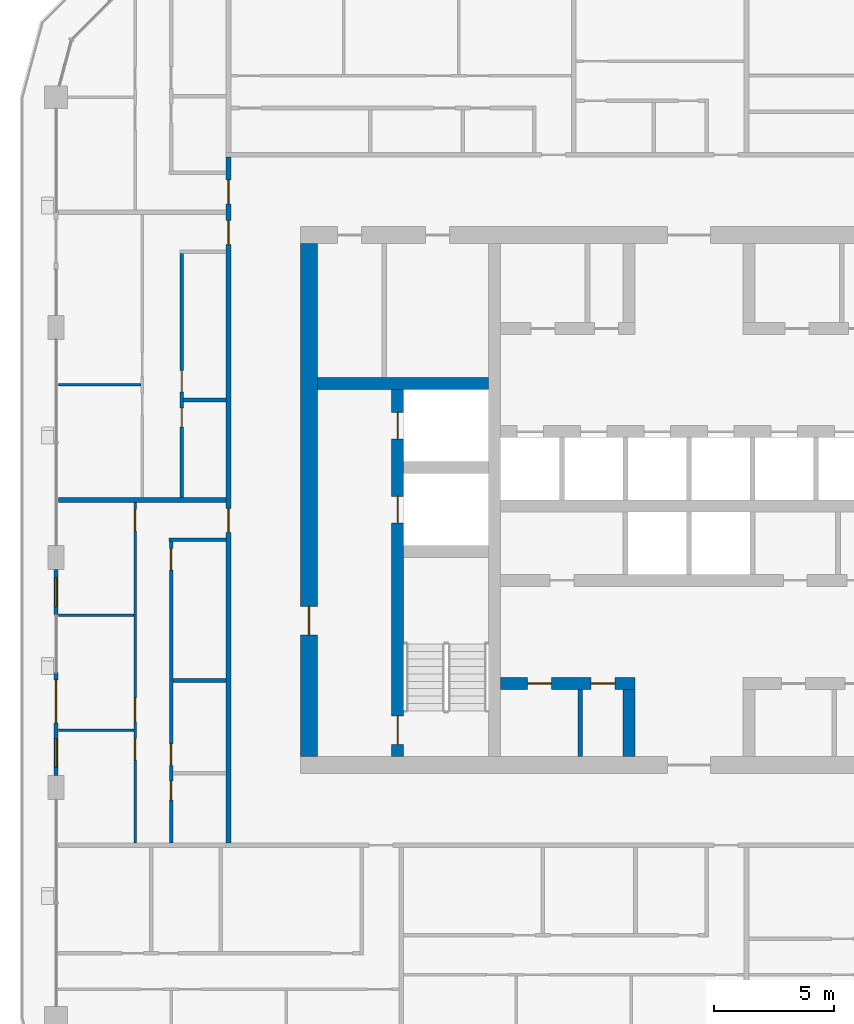
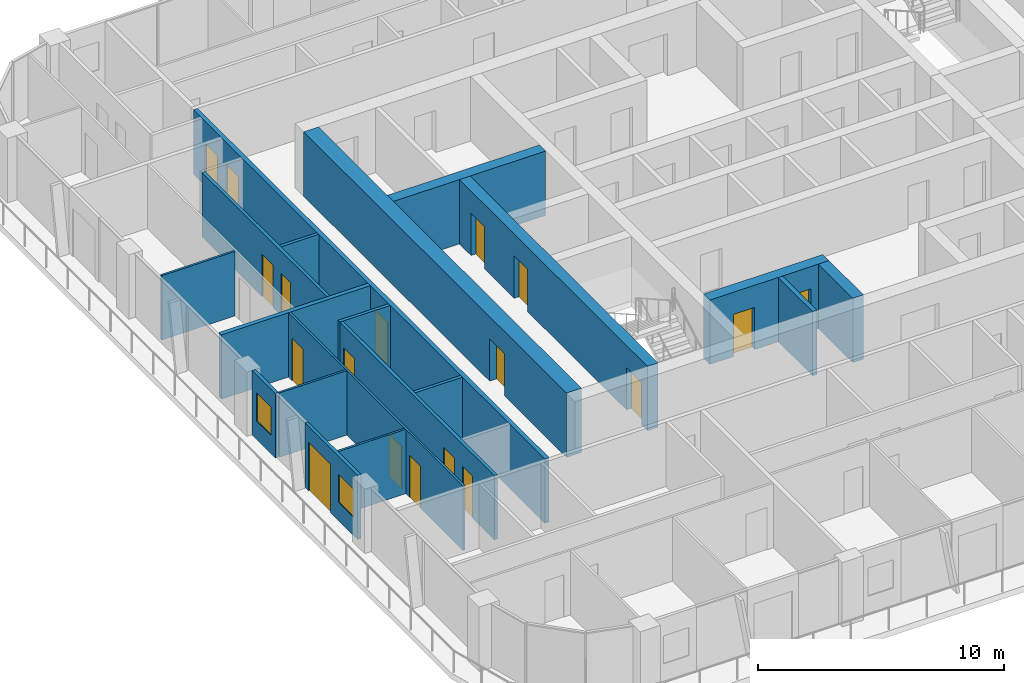
# One storey, part 10 of 22: 19 walls, 18 doors, 2 windows, 20 openings.
"""IFC4 building model written with IfcOpenShell, lengths in metres."""

from ifc_helpers import new_model, si_unit, direction, frame, frame_2d, origin, place, context, subcontext, project, spatial, rectangle, extrude, material, layer, layer_set, type_object, element, fill, save


model = new_model("IFC4")

# Units and contexts
model_context = context("Model", 3, precision=1e-05, world=origin(), true_north=direction((0.0, 1.0)))
body_context = subcontext(model_context, "Body", "Model", "MODEL_VIEW")
ifc_project = project(units=[si_unit("LENGTHUNIT", "METRE"), si_unit("AREAUNIT", "SQUARE_METRE"), si_unit("VOLUMEUNIT", "CUBIC_METRE"), si_unit("PLANEANGLEUNIT", "RADIAN"), si_unit("MASSUNIT", "GRAM", prefix="KILO")], contexts=[model_context])

# Site, building, storey
site_placement = place(None, origin())
site = spatial("IfcSite", under=ifc_project, at=site_placement, CompositionType="ELEMENT")
building_placement = place(site_placement, origin())
building = spatial("IfcBuilding", under=site, at=building_placement, Name="Madar Terraces", CompositionType="ELEMENT")
storey_placement = place(building_placement, frame((0.0, 0.0, 182.39990234375)))
storey = spatial("IfcBuildingStorey", under=building, at=storey_placement, Name="L47", CompositionType="ELEMENT", Elevation=182.39990234375)

# Wall, openings, doors
ifc_material_1 = material(Name="Concrete C60/75", Category="concrete")
ifc_layer_1 = layer(ifc_material_1, 0.5)
ifc_layer_set_1 = layer_set([ifc_layer_1], Name="Concrete C60/75 (CIW4 RC wall 500)")
wall_type_1 = type_object("IfcWallType", Name="CIW4 RC wall 500", PredefinedType="SHEAR", material=ifc_layer_set_1)
wall_1_placement = place(storey_placement, frame((19.050048828125, 15.699951171875, 0.0), z_axis=(0.0, 0.0, 1.0), x_axis=(0.0, 1.0, 0.0)))
wall_1 = element("IfcWall", 1, at=wall_1_placement, inside=storey, type_object=wall_type_1, Name="CORE SHAFT WALL", PredefinedType="SHEAR", context=body_context, shape_type="SweptSolid", body=[
    extrude(rectangle(XDim=15.300048828125, YDim=0.5, at=frame_2d((7.64990234375, 0.0))), origin(), (0.0, 0.0, 1.0), 3.2001953125),
])
opening_1_placement = place(wall_1_placement, frame((9.75, 0.0, 0.0)))
opening_1 = element("IfcOpeningElement", 2, at=opening_1_placement, cuts=wall_1, Name="Opening LD", PredefinedType="OPENING", context=body_context, shape_type="SweptSolid", body=[
    extrude(rectangle(XDim=1.10009765625, YDim=2.10009765625, at=frame_2d((0.550048828125, 1.050048828125))), frame((0.0, 0.260009765625, 0.0), z_axis=(0.0, -1.0, 0.0), x_axis=(1.0, 0.0, 0.0)), (0.0, 0.0, 1.0), 0.52001953125),
])
opening_2_placement = place(wall_1_placement, frame((13.25, 0.0, 0.0)))
opening_2 = element("IfcOpeningElement", 3, at=opening_2_placement, cuts=wall_1, Name="Opening LD", PredefinedType="OPENING", context=body_context, shape_type="SweptSolid", body=[
    extrude(rectangle(XDim=1.10009765625, YDim=2.10009765625, at=frame_2d((0.550048828125, 1.050048828125))), frame((0.0, 0.260009765625, 0.0), z_axis=(0.0, -1.0, 0.0), x_axis=(1.0, 0.0, 0.0)), (0.0, 0.0, 1.0), 0.52001953125),
])
opening_3_placement = place(wall_1_placement, frame((0.5, 0.0, 0.0)))
opening_3 = element("IfcOpeningElement", 4, at=opening_3_placement, cuts=wall_1, Name="Opening SD1", PredefinedType="OPENING", context=body_context, shape_type="SweptSolid", body=[
    extrude(rectangle(XDim=1.199951171875, YDim=2.10009765625, at=frame_2d((0.60009765625, 1.050048828125))), frame((0.0, 0.260009765625, 0.0), z_axis=(0.0, -1.0, 0.0), x_axis=(1.0, 0.0, 0.0)), (0.0, 0.0, 1.0), 0.52001953125),
])
ifc_material_2 = material(Name="Stainless steel panel", Category="steel")
door_type_1 = type_object("IfcDoorType", Name="Lift landing door 1100 x 2100", OperationType="DOUBLE_DOOR_SLIDING", PredefinedType="DOOR", material=ifc_material_2)
door_1_placement = place(opening_1_placement, origin())
door_1 = element("IfcDoor", 5, at=door_1_placement, inside=storey, type_object=door_type_1, Name="LIFT LANDING DOOR", OperationType="DOUBLE_DOOR_SLIDING", OverallHeight=2.10009765625, OverallWidth=1.10009765625, PredefinedType="DOOR", context=body_context, shape_type="SweptSolid", body=[
    extrude(rectangle(XDim=1.10009765625, YDim=2.10009765625, at=frame_2d((0.550048828125, 1.050048828125))), frame((0.0, 0.02490234375, 0.0), z_axis=(0.0, -1.0, 0.0), x_axis=(1.0, 0.0, 0.0)), (0.0, 0.0, 1.0), 0.050048828125),
])
fill(opening_1, door_1)
door_2_placement = place(opening_2_placement, origin())
door_2 = element("IfcDoor", 6, at=door_2_placement, inside=storey, type_object=door_type_1, Name="LIFT LANDING DOOR", OperationType="DOUBLE_DOOR_SLIDING", OverallHeight=2.10009765625, OverallWidth=1.10009765625, PredefinedType="DOOR", context=body_context, shape_type="SweptSolid", body=[
    extrude(rectangle(XDim=1.10009765625, YDim=2.10009765625, at=frame_2d((0.550048828125, 1.050048828125))), frame((0.0, 0.02490234375, 0.0), z_axis=(0.0, -1.0, 0.0), x_axis=(1.0, 0.0, 0.0)), (0.0, 0.0, 1.0), 0.050048828125),
])
fill(opening_2, door_2)
ifc_material_3 = material(Name="Steel door leaf", Category="steel")
door_type_2 = type_object("IfcDoorType", Name="Stair door 1200 x 2100", OperationType="NOTDEFINED", PredefinedType="DOOR", material=ifc_material_3)
door_3_placement = place(opening_3_placement, frame((1.199951171875, 0.0, 0.0), z_axis=(0.0, 0.0, 1.0), x_axis=(-1.0, 0.0, 0.0)))
door_3 = element("IfcDoor", 7, at=door_3_placement, inside=storey, type_object=door_type_2, Name="STAIR DOOR", OperationType="SINGLE_SWING_LEFT", OverallHeight=2.10009765625, OverallWidth=1.199951171875, PredefinedType="DOOR", context=body_context, shape_type="SweptSolid", body=[
    extrude(rectangle(XDim=1.199951171875, YDim=2.10009765625, at=frame_2d((0.60009765625, 1.050048828125))), frame((0.0, 0.02490234375, 0.0), z_axis=(0.0, -1.0, 0.0), x_axis=(1.0, 0.0, 0.0)), (0.0, 0.0, 1.0), 0.050048828125),
])
fill(opening_3, door_3)

# Wall
wall_2_placement = place(storey_placement, frame((15.699951171875, 31.25, 0.0), z_axis=(0.0, 0.0, 1.0), x_axis=(1.0, 0.0, 0.0)))
element("IfcWall", 8, at=wall_2_placement, inside=storey, type_object=wall_type_1, Name="CORE SHAFT WALL", PredefinedType="SHEAR", context=body_context, shape_type="SweptSolid", body=[
    extrude(rectangle(XDim=7.150146484375, YDim=0.5, at=frame_2d((3.5751953125, 0.0))), origin(), (0.0, 0.0, 1.0), 3.2001953125),
])

# Wall, openings, doors
wall_3_placement = place(storey_placement, frame((23.35009765625, 18.75, 0.0), z_axis=(0.0, 0.0, 1.0), x_axis=(1.0, 0.0, 0.0)))
wall_3 = element("IfcWall", 9, at=wall_3_placement, inside=storey, type_object=wall_type_1, Name="CORE SHAFT WALL", PredefinedType="SHEAR", context=body_context, shape_type="SweptSolid", body=[
    extrude(rectangle(XDim=5.599853515625, YDim=0.5, at=frame_2d((2.7998046875, 0.0))), origin(), (0.0, 0.0, 1.0), 3.2001953125),
])
opening_4_placement = place(wall_3_placement, frame((1.107421875, 0.0, 0.0)))
opening_4 = element("IfcOpeningElement", 10, at=opening_4_placement, cuts=wall_3, Name="Opening KD2", PredefinedType="OPENING", context=body_context, shape_type="SweptSolid", body=[
    extrude(rectangle(XDim=1.0, YDim=2.10009765625, at=frame_2d((0.5, 1.050048828125))), frame((0.0, 0.260009765625, 0.0), z_axis=(0.0, -1.0, 0.0), x_axis=(1.0, 0.0, 0.0)), (0.0, 0.0, 1.0), 0.52001953125),
])
opening_5_placement = place(wall_3_placement, frame((3.757568359375, 0.0, 0.0)))
opening_5 = element("IfcOpeningElement", 11, at=opening_5_placement, cuts=wall_3, Name="Opening KD2", PredefinedType="OPENING", context=body_context, shape_type="SweptSolid", body=[
    extrude(rectangle(XDim=1.0, YDim=2.10009765625, at=frame_2d((0.5, 1.050048828125))), frame((0.0, 0.260009765625, 0.0), z_axis=(0.0, -1.0, 0.0), x_axis=(1.0, 0.0, 0.0)), (0.0, 0.0, 1.0), 0.52001953125),
])
ifc_material_4 = material(Name="Steel door leaf", Category="steel")
door_type_3 = type_object("IfcDoorType", Name="Service room door 1000 x 2100", OperationType="NOTDEFINED", PredefinedType="DOOR", material=ifc_material_4)
door_4_placement = place(opening_4_placement, origin())
door_4 = element("IfcDoor", 12, at=door_4_placement, inside=storey, type_object=door_type_3, Name="SERVICE ROOM DOOR", OperationType="SINGLE_SWING_LEFT", OverallHeight=2.10009765625, OverallWidth=1.0, PredefinedType="DOOR", context=body_context, shape_type="SweptSolid", body=[
    extrude(rectangle(XDim=1.0, YDim=2.10009765625, at=frame_2d((0.5, 1.050048828125))), frame((0.0, 0.02490234375, 0.0), z_axis=(0.0, -1.0, 0.0), x_axis=(1.0, 0.0, 0.0)), (0.0, 0.0, 1.0), 0.050048828125),
])
fill(opening_4, door_4)
door_5_placement = place(opening_5_placement, origin())
door_5 = element("IfcDoor", 13, at=door_5_placement, inside=storey, type_object=door_type_3, Name="SERVICE ROOM DOOR", OperationType="SINGLE_SWING_RIGHT", OverallHeight=2.10009765625, OverallWidth=1.0, PredefinedType="DOOR", context=body_context, shape_type="SweptSolid", body=[
    extrude(rectangle(XDim=1.0, YDim=2.10009765625, at=frame_2d((0.5, 1.050048828125))), frame((0.0, 0.02490234375, 0.0), z_axis=(0.0, -1.0, 0.0), x_axis=(1.0, 0.0, 0.0)), (0.0, 0.0, 1.0), 0.050048828125),
])
fill(opening_5, door_5)

# Wall
wall_4_placement = place(storey_placement, frame((28.699951171875, 15.699951171875, 0.0), z_axis=(0.0, 0.0, 1.0), x_axis=(0.0, 1.0, 0.0)))
element("IfcWall", 14, at=wall_4_placement, inside=storey, type_object=wall_type_1, Name="CORE SHAFT WALL", PredefinedType="SHEAR", context=body_context, shape_type="SweptSolid", body=[
    extrude(rectangle(XDim=2.800048828125, YDim=0.5, at=frame_2d((1.39990234375, 0.0))), origin(), (0.0, 0.0, 1.0), 3.2001953125),
])

# Wall, opening, door
ifc_material_5 = material(Name="Concrete C60/75", Category="concrete")
ifc_layer_2 = layer(ifc_material_5, 0.699951171875)
ifc_layer_set_2 = layer_set([ifc_layer_2], Name="Concrete C60/75 (CRW4 RC wall 700)")
wall_type_2 = type_object("IfcWallType", Name="CRW4 RC wall 700", PredefinedType="SHEAR", material=ifc_layer_set_2)
wall_5_placement = place(storey_placement, frame((15.35009765625, 15.699951171875, 0.0), z_axis=(0.0, 0.0, 1.0), x_axis=(0.0, 1.0, 0.0)))
wall_5 = element("IfcWall", 15, at=wall_5_placement, inside=storey, type_object=wall_type_2, Name="CORE OUTER WALL", PredefinedType="SHEAR", context=body_context, shape_type="SweptSolid", body=[
    extrude(rectangle(XDim=21.400146484375, YDim=0.699951171875, at=frame_2d((10.7001953125, 0.0))), origin(), (0.0, 0.0, 1.0), 3.2001953125),
])
opening_6_placement = place(wall_5_placement, frame((5.06005859375, 0.0, 0.0)))
opening_6 = element("IfcOpeningElement", 16, at=opening_6_placement, cuts=wall_5, Name="Opening SD1", PredefinedType="OPENING", context=body_context, shape_type="SweptSolid", body=[
    extrude(rectangle(XDim=1.199951171875, YDim=2.10009765625, at=frame_2d((0.60009765625, 1.050048828125))), frame((0.0, 0.35986328125, 0.0), z_axis=(0.0, -1.0, 0.0), x_axis=(1.0, 0.0, 0.0)), (0.0, 0.0, 1.0), 0.719970703125),
])
door_6_placement = place(opening_6_placement, frame((1.199951171875, 0.0, 0.0), z_axis=(0.0, 0.0, 1.0), x_axis=(-1.0, 0.0, 0.0)))
door_6 = element("IfcDoor", 17, at=door_6_placement, inside=storey, type_object=door_type_2, Name="STAIR DOOR", OperationType="SINGLE_SWING_RIGHT", OverallHeight=2.10009765625, OverallWidth=1.199951171875, PredefinedType="DOOR", context=body_context, shape_type="SweptSolid", body=[
    extrude(rectangle(XDim=1.199951171875, YDim=2.10009765625, at=frame_2d((0.60009765625, 1.050048828125))), frame((0.0, 0.02490234375, 0.0), z_axis=(0.0, -1.0, 0.0), x_axis=(1.0, 0.0, 0.0)), (0.0, 0.0, 1.0), 0.050048828125),
])
fill(opening_6, door_6)

# Wall
ifc_material_6 = material(Name="Masonry blockwork", Category="masonry")
ifc_layer_3 = layer(ifc_material_6, 0.199951171875)
ifc_layer_set_3 = layer_set([ifc_layer_3], Name="Core partition 200 blockwork")
wall_type_3 = type_object("IfcWallType", Name="Core partition 200 blockwork", PredefinedType="PARTITIONING", material=ifc_layer_set_3)
wall_6_placement = place(storey_placement, frame((26.6650390625, 15.699951171875, 0.0), z_axis=(0.0, 0.0, 1.0), x_axis=(0.0, 1.0, 0.0)))
element("IfcWall", 18, at=wall_6_placement, inside=storey, type_object=wall_type_3, Name="SERVICE ROOM PARTITION", PredefinedType="PARTITIONING", context=body_context, shape_type="SweptSolid", body=[
    extrude(rectangle(XDim=2.800048828125, YDim=0.199951171875, at=frame_2d((1.39990234375, 0.0))), origin(), (0.0, 0.0, 1.0), 3.2001953125),
])

# Wall, opening, window
ifc_material_7 = material(Name="Aluminium composite panel, black, over insulated backing", Category="aluminium")
ifc_layer_4 = layer(ifc_material_7, 0.14990234375)
ifc_layer_set_4 = layer_set([ifc_layer_4], Name="Facade bay panel 150")
wall_type_4 = type_object("IfcWallType", Name="Facade bay panel 150", PredefinedType="SOLIDWALL", material=ifc_layer_set_4)
wall_7_placement = place(storey_placement, frame((4.800048828125, 23.5, 0.0), z_axis=(0.0, 0.0, 1.0), x_axis=(0.0, -1.0, 0.0)))
wall_7 = element("IfcWall", 19, at=wall_7_placement, inside=storey, type_object=wall_type_4, Name="Facade bay panel", PredefinedType="SOLIDWALL", context=body_context, shape_type="SweptSolid", body=[
    extrude(rectangle(XDim=1.89990234375, YDim=0.14990234375, at=frame_2d((0.949951171875, 0.0))), origin(), (0.0, 0.0, 1.0), 3.2001953125),
])
opening_7_placement = place(wall_7_placement, frame((0.35009765625, 0.0, 0.89990234375)))
opening_7 = element("IfcOpeningElement", 20, at=opening_7_placement, cuts=wall_7, Name="Opening W1", PredefinedType="OPENING", context=body_context, shape_type="SweptSolid", body=[
    extrude(rectangle(XDim=1.199951171875, YDim=1.39990234375, at=frame_2d((0.60009765625, 0.699951171875))), frame((0.0, 0.0849609375, 0.0), z_axis=(0.0, -1.0, 0.0), x_axis=(1.0, 0.0, 0.0)), (0.0, 0.0, 1.0), 0.169921875),
])
ifc_material_8 = material(Name="Glass, clear, with black aluminium frame", Category="aluminium")
window_type = type_object("IfcWindowType", Name="Vent window 1200 x 1400", PartitioningType="SINGLE_PANEL", PredefinedType="WINDOW", material=ifc_material_8)
window_1_placement = place(opening_7_placement, origin())
window_1 = element("IfcWindow", 21, at=window_1_placement, inside=storey, type_object=window_type, Name="Operable vent window", OverallHeight=1.39990234375, OverallWidth=1.199951171875, PartitioningType="SINGLE_PANEL", PredefinedType="WINDOW", context=body_context, shape_type="SweptSolid", body=[
    extrude(rectangle(XDim=1.199951171875, YDim=1.39990234375, at=frame_2d((0.60009765625, 0.699951171875))), frame((0.0, 0.030029296875, 0.0), z_axis=(0.0, -1.0, 0.0), x_axis=(1.0, 0.0, 0.0)), (0.0, 0.0, 1.0), 0.06005859375),
])
fill(opening_7, window_1)

# Wall, openings, door, window
wall_8_placement = place(storey_placement, frame((4.800048828125, 19.199951171875, 0.0), z_axis=(0.0, 0.0, 1.0), x_axis=(0.0, -1.0, 0.0)))
wall_8 = element("IfcWall", 22, at=wall_8_placement, inside=storey, type_object=wall_type_4, Name="Facade bay panel", PredefinedType="SOLIDWALL", context=body_context, shape_type="SweptSolid", body=[
    extrude(rectangle(XDim=4.300048828125, YDim=0.14990234375, at=frame_2d((2.14990234375, 0.0))), origin(), (0.0, 0.0, 1.0), 3.2001953125),
])
opening_8_placement = place(wall_8_placement, frame((0.300048828125, 0.0, 0.0)))
opening_8 = element("IfcOpeningElement", 23, at=opening_8_placement, cuts=wall_8, Name="Opening ED1", PredefinedType="OPENING", context=body_context, shape_type="SweptSolid", body=[
    extrude(rectangle(XDim=1.800048828125, YDim=2.39990234375, at=frame_2d((0.89990234375, 1.199951171875))), frame((0.0, 0.0849609375, 0.0), z_axis=(0.0, -1.0, 0.0), x_axis=(1.0, 0.0, 0.0)), (0.0, 0.0, 1.0), 0.169921875),
])
opening_9_placement = place(wall_8_placement, frame((2.75, 0.0, 0.89990234375)))
opening_9 = element("IfcOpeningElement", 24, at=opening_9_placement, cuts=wall_8, Name="Opening W1", PredefinedType="OPENING", context=body_context, shape_type="SweptSolid", body=[
    extrude(rectangle(XDim=1.199951171875, YDim=1.39990234375, at=frame_2d((0.60009765625, 0.699951171875))), frame((0.0, 0.0849609375, 0.0), z_axis=(0.0, -1.0, 0.0), x_axis=(1.0, 0.0, 0.0)), (0.0, 0.0, 1.0), 0.169921875),
])
ifc_material_9 = material(Name="Glass, clear, with black aluminium frame", Category="aluminium")
door_type_4 = type_object("IfcDoorType", Name="Balcony and terrace sliding door 1800 x 2400", OperationType="SLIDING_TO_LEFT", PredefinedType="DOOR", material=ifc_material_9)
door_7_placement = place(opening_8_placement, origin())
door_7 = element("IfcDoor", 25, at=door_7_placement, inside=storey, type_object=door_type_4, Name="Balcony door", OperationType="SLIDING_TO_LEFT", OverallHeight=2.39990234375, OverallWidth=1.800048828125, PredefinedType="DOOR", context=body_context, shape_type="SweptSolid", body=[
    extrude(rectangle(XDim=1.800048828125, YDim=2.39990234375, at=frame_2d((0.89990234375, 1.199951171875))), frame((0.0, 0.02490234375, 0.0), z_axis=(0.0, -1.0, 0.0), x_axis=(1.0, 0.0, 0.0)), (0.0, 0.0, 1.0), 0.050048828125),
])
fill(opening_8, door_7)
window_2_placement = place(opening_9_placement, origin())
window_2 = element("IfcWindow", 26, at=window_2_placement, inside=storey, type_object=window_type, Name="Operable vent window", OverallHeight=1.39990234375, OverallWidth=1.199951171875, PartitioningType="SINGLE_PANEL", PredefinedType="WINDOW", context=body_context, shape_type="SweptSolid", body=[
    extrude(rectangle(XDim=1.199951171875, YDim=1.39990234375, at=frame_2d((0.60009765625, 0.699951171875))), frame((0.0, 0.030029296875, 0.0), z_axis=(0.0, -1.0, 0.0), x_axis=(1.0, 0.0, 0.0)), (0.0, 0.0, 1.0), 0.06005859375),
])
fill(opening_9, window_2)

# Walls
ifc_material_10 = material(Name="Gypsum board on steel studs", Category="steel")
ifc_layer_5 = layer(ifc_material_10, 0.10009765625)
ifc_layer_set_5 = layer_set([ifc_layer_5], Name="Flat partition 100")
wall_type_5 = type_object("IfcWallType", Name="Flat partition 100", PredefinedType="PARTITIONING", material=ifc_layer_set_5)
wall_9_placement = place(storey_placement, frame((8.35009765625, 31.199951171875, 0.0), z_axis=(0.0, 0.0, 1.0), x_axis=(-1.0, 0.0, 0.0)))
element("IfcWall", 27, at=wall_9_placement, inside=storey, type_object=wall_type_5, Name="Flat partition 100", PredefinedType="PARTITIONING", context=body_context, shape_type="SweptSolid", body=[
    extrude(rectangle(XDim=3.4501953125, YDim=0.10009765625, at=frame_2d((1.72509765625, 0.0))), origin(), (0.0, 0.0, 1.0), 3.2001953125),
])
for number, where, z_axis, x_axis, name in (
    (28, (8.050048828125, 21.60009765625, 0.0), (0.0, 0.0, 1.0), (-1.0, 0.0, 0.0), "Flat partition 100"),
    (29, (8.050048828125, 16.800048828125, 0.0), (0.0, 0.0, 1.0), (-1.0, 0.0, 0.0), "Flat partition 100"),
):
    element("IfcWall", number, at=place(storey_placement, frame(where, z_axis=z_axis, x_axis=x_axis)), inside=storey, type_object=wall_type_5, Name=name, PredefinedType="PARTITIONING", context=body_context, shape_type="SweptSolid", body=[
        extrude(rectangle(XDim=3.150146484375, YDim=0.10009765625, at=frame_2d((1.5751953125, 0.0))), origin(), (0.0, 0.0, 1.0), 3.2001953125),
    ])

# Wall, openings, doors
wall_10_placement = place(storey_placement, frame((8.10009765625, 12.10009765625, 0.0), z_axis=(0.0, 0.0, 1.0), x_axis=(0.0, 1.0, 0.0)))
wall_10 = element("IfcWall", 30, at=wall_10_placement, inside=storey, type_object=wall_type_5, Name="Flat partition 100", PredefinedType="PARTITIONING", context=body_context, shape_type="SweptSolid", body=[
    extrude(rectangle(XDim=14.199951171875, YDim=0.10009765625, at=frame_2d((7.10009765625, 0.0))), origin(), (0.0, 0.0, 1.0), 3.2001953125),
])
opening_10_placement = place(wall_10_placement, frame((13.0, 0.0, 0.0)))
opening_10 = element("IfcOpeningElement", 31, at=opening_10_placement, cuts=wall_10, Name="Opening D2", PredefinedType="OPENING", context=body_context, shape_type="SweptSolid", body=[
    extrude(rectangle(XDim=0.89990234375, YDim=2.10009765625, at=frame_2d((0.449951171875, 1.050048828125))), frame((0.0, 0.06005859375, 0.0), z_axis=(0.0, -1.0, 0.0), x_axis=(1.0, 0.0, 0.0)), (0.0, 0.0, 1.0), 0.1201171875),
])
opening_11_placement = place(wall_10_placement, frame((5.050048828125, 0.0, 0.0)))
opening_11 = element("IfcOpeningElement", 32, at=opening_11_placement, cuts=wall_10, Name="Opening D3", PredefinedType="OPENING", context=body_context, shape_type="SweptSolid", body=[
    extrude(rectangle(XDim=1.0, YDim=2.10009765625, at=frame_2d((0.5, 1.050048828125))), frame((0.0, 0.06005859375, 0.0), z_axis=(0.0, -1.0, 0.0), x_axis=(1.0, 0.0, 0.0)), (0.0, 0.0, 1.0), 0.1201171875),
])
opening_12_placement = place(wall_10_placement, frame((3.449951171875, 0.0, 0.0)))
opening_12 = element("IfcOpeningElement", 33, at=opening_12_placement, cuts=wall_10, Name="Opening D2", PredefinedType="OPENING", context=body_context, shape_type="SweptSolid", body=[
    extrude(rectangle(XDim=0.89990234375, YDim=2.10009765625, at=frame_2d((0.449951171875, 1.050048828125))), frame((0.0, 0.06005859375, 0.0), z_axis=(0.0, -1.0, 0.0), x_axis=(1.0, 0.0, 0.0)), (0.0, 0.0, 1.0), 0.1201171875),
])
ifc_material_11 = material(Name="Timber door leaf", Category="wood")
door_type_5 = type_object("IfcDoorType", Name="Flat living room door 1000", OperationType="NOTDEFINED", PredefinedType="DOOR", material=ifc_material_11)
door_8_placement = place(opening_11_placement, origin())
door_8 = element("IfcDoor", 34, at=door_8_placement, inside=storey, type_object=door_type_5, Name="Flat living room door 1000", OperationType="SINGLE_SWING_LEFT", OverallHeight=2.10009765625, OverallWidth=1.0, PredefinedType="DOOR", context=body_context, shape_type="SweptSolid", body=[
    extrude(rectangle(XDim=1.0, YDim=2.10009765625, at=frame_2d((0.5, 1.050048828125))), frame((0.0, 0.02490234375, 0.0), z_axis=(0.0, -1.0, 0.0), x_axis=(1.0, 0.0, 0.0)), (0.0, 0.0, 1.0), 0.050048828125),
])
fill(opening_11, door_8)
ifc_material_12 = material(Name="Timber door leaf", Category="wood")
door_type_6 = type_object("IfcDoorType", Name="Flat room door 900", OperationType="NOTDEFINED", PredefinedType="DOOR", material=ifc_material_12)
door_9_placement = place(opening_10_placement, origin())
door_9 = element("IfcDoor", 35, at=door_9_placement, inside=storey, type_object=door_type_6, Name="Flat room door 900", OperationType="SINGLE_SWING_RIGHT", OverallHeight=2.10009765625, OverallWidth=0.89990234375, PredefinedType="DOOR", context=body_context, shape_type="SweptSolid", body=[
    extrude(rectangle(XDim=0.89990234375, YDim=2.10009765625, at=frame_2d((0.449951171875, 1.050048828125))), frame((0.0, 0.02490234375, 0.0), z_axis=(0.0, -1.0, 0.0), x_axis=(1.0, 0.0, 0.0)), (0.0, 0.0, 1.0), 0.050048828125),
])
fill(opening_10, door_9)
door_10_placement = place(opening_12_placement, origin())
door_10 = element("IfcDoor", 36, at=door_10_placement, inside=storey, type_object=door_type_6, Name="Flat room door 900", OperationType="SINGLE_SWING_RIGHT", OverallHeight=2.10009765625, OverallWidth=0.89990234375, PredefinedType="DOOR", context=body_context, shape_type="SweptSolid", body=[
    extrude(rectangle(XDim=0.89990234375, YDim=2.10009765625, at=frame_2d((0.449951171875, 1.050048828125))), frame((0.0, 0.02490234375, 0.0), z_axis=(0.0, -1.0, 0.0), x_axis=(1.0, 0.0, 0.0)), (0.0, 0.0, 1.0), 0.050048828125),
])
fill(opening_12, door_10)

ifc_material_13 = material(Name="Lightweight blockwork", Category="masonry")
ifc_layer_6 = layer(ifc_material_13, 0.199951171875)
ifc_layer_set_6 = layer_set([ifc_layer_6], Name="Flat party and entrance wall 200")
wall_type_6 = type_object("IfcWallType", Name="Flat party and entrance wall 200", PredefinedType="PARTITIONING", material=ifc_layer_set_6)
wall_11_placement = place(storey_placement, frame((12.0, 12.10009765625, 0.0), z_axis=(0.0, 0.0, 1.0), x_axis=(0.0, 1.0, 0.0)))
wall_11 = element("IfcWall", 37, at=wall_11_placement, inside=storey, type_object=wall_type_6, Name="Flat party and entrance wall 200", PredefinedType="PARTITIONING", context=body_context, shape_type="SweptSolid", body=[
    extrude(rectangle(XDim=28.599853515625, YDim=0.199951171875, at=frame_2d((14.2998046875, 0.0))), origin(), (0.0, 0.0, 1.0), 3.2001953125),
])
opening_13_placement = place(wall_11_placement, frame((26.64990234375, 0.0, 0.0)))
opening_13 = element("IfcOpeningElement", 38, at=opening_13_placement, cuts=wall_11, Name="Opening D1", PredefinedType="OPENING", context=body_context, shape_type="SweptSolid", body=[
    extrude(rectangle(XDim=1.0, YDim=2.10009765625, at=frame_2d((0.5, 1.050048828125))), frame((0.0, 0.10986328125, 0.0), z_axis=(0.0, -1.0, 0.0), x_axis=(1.0, 0.0, 0.0)), (0.0, 0.0, 1.0), 0.219970703125),
])
opening_14_placement = place(wall_11_placement, frame((24.949951171875, 0.0, 0.0)))
opening_14 = element("IfcOpeningElement", 39, at=opening_14_placement, cuts=wall_11, Name="Opening D1", PredefinedType="OPENING", context=body_context, shape_type="SweptSolid", body=[
    extrude(rectangle(XDim=1.0, YDim=2.10009765625, at=frame_2d((0.5, 1.050048828125))), frame((0.0, 0.10986328125, 0.0), z_axis=(0.0, -1.0, 0.0), x_axis=(1.0, 0.0, 0.0)), (0.0, 0.0, 1.0), 0.219970703125),
])
opening_15_placement = place(wall_11_placement, frame((12.949951171875, 0.0, 0.0)))
opening_15 = element("IfcOpeningElement", 40, at=opening_15_placement, cuts=wall_11, Name="Opening D1", PredefinedType="OPENING", context=body_context, shape_type="SweptSolid", body=[
    extrude(rectangle(XDim=1.0, YDim=2.10009765625, at=frame_2d((0.5, 1.050048828125))), frame((0.0, 0.10986328125, 0.0), z_axis=(0.0, -1.0, 0.0), x_axis=(1.0, 0.0, 0.0)), (0.0, 0.0, 1.0), 0.219970703125),
])
ifc_material_14 = material(Name="Timber fire door leaf", Category="wood")
door_type_7 = type_object("IfcDoorType", Name="Flat entrance door 1000 FD30S", OperationType="NOTDEFINED", PredefinedType="DOOR", material=ifc_material_14)
door_11_placement = place(opening_13_placement, origin())
door_11 = element("IfcDoor", 41, at=door_11_placement, inside=storey, type_object=door_type_7, Name="Flat entrance door 1000 FD30S", OperationType="SINGLE_SWING_LEFT", OverallHeight=2.10009765625, OverallWidth=1.0, PredefinedType="DOOR", context=body_context, shape_type="SweptSolid", body=[
    extrude(rectangle(XDim=1.0, YDim=2.10009765625, at=frame_2d((0.5, 1.050048828125))), frame((0.0, 0.02490234375, 0.0), z_axis=(0.0, -1.0, 0.0), x_axis=(1.0, 0.0, 0.0)), (0.0, 0.0, 1.0), 0.050048828125),
])
fill(opening_13, door_11)
door_12_placement = place(opening_14_placement, origin())
door_12 = element("IfcDoor", 42, at=door_12_placement, inside=storey, type_object=door_type_7, Name="Flat entrance door 1000 FD30S", OperationType="SINGLE_SWING_RIGHT", OverallHeight=2.10009765625, OverallWidth=1.0, PredefinedType="DOOR", context=body_context, shape_type="SweptSolid", body=[
    extrude(rectangle(XDim=1.0, YDim=2.10009765625, at=frame_2d((0.5, 1.050048828125))), frame((0.0, 0.02490234375, 0.0), z_axis=(0.0, -1.0, 0.0), x_axis=(1.0, 0.0, 0.0)), (0.0, 0.0, 1.0), 0.050048828125),
])
fill(opening_14, door_12)
door_13_placement = place(opening_15_placement, origin())
door_13 = element("IfcDoor", 43, at=door_13_placement, inside=storey, type_object=door_type_7, Name="Flat entrance door 1000 FD30S", OperationType="SINGLE_SWING_RIGHT", OverallHeight=2.10009765625, OverallWidth=1.0, PredefinedType="DOOR", context=body_context, shape_type="SweptSolid", body=[
    extrude(rectangle(XDim=1.0, YDim=2.10009765625, at=frame_2d((0.5, 1.050048828125))), frame((0.0, 0.02490234375, 0.0), z_axis=(0.0, -1.0, 0.0), x_axis=(1.0, 0.0, 0.0)), (0.0, 0.0, 1.0), 0.050048828125),
])
fill(opening_15, door_13)

# Walls
wall_12_placement = place(storey_placement, frame((4.89990234375, 26.39990234375, 0.0), z_axis=(0.0, 0.0, 1.0), x_axis=(1.0, 0.0, 0.0)))
element("IfcWall", 44, at=wall_12_placement, inside=storey, type_object=wall_type_6, Name="Flat party and entrance wall 200", PredefinedType="PARTITIONING", context=body_context, shape_type="SweptSolid", body=[
    extrude(rectangle(XDim=7.0, YDim=0.199951171875, at=frame_2d((3.5, 0.0))), origin(), (0.0, 0.0, 1.0), 3.2001953125),
])
ifc_material_15 = material(Name="Lightweight blockwork", Category="masonry")
ifc_layer_7 = layer(ifc_material_15, 0.14990234375)
ifc_layer_set_7 = layer_set([ifc_layer_7], Name="Flat wet-room partition 150")
wall_type_7 = type_object("IfcWallType", Name="Flat wet-room partition 150", PredefinedType="PARTITIONING", material=ifc_layer_set_7)
wall_13_placement = place(storey_placement, frame((11.89990234375, 30.570068359375, 0.0), z_axis=(0.0, 0.0, 1.0), x_axis=(-1.0, 0.0, 0.0)))
element("IfcWall", 45, at=wall_13_placement, inside=storey, type_object=wall_type_7, Name="Flat wet-room partition 150", PredefinedType="PARTITIONING", context=body_context, shape_type="SweptSolid", body=[
    extrude(rectangle(XDim=1.77490234375, YDim=0.14990234375, at=frame_2d((0.887451171875, 0.0))), origin(), (0.0, 0.0, 1.0), 3.2001953125),
])

# Wall, openings, doors
wall_14_placement = place(storey_placement, frame((10.050048828125, 36.675048828125, 0.0), z_axis=(0.0, 0.0, 1.0), x_axis=(0.0, -1.0, 0.0)))
wall_14 = element("IfcWall", 46, at=wall_14_placement, inside=storey, type_object=wall_type_7, Name="Flat wet-room partition 150", PredefinedType="PARTITIONING", context=body_context, shape_type="SweptSolid", body=[
    extrude(rectangle(XDim=10.175048828125, YDim=0.14990234375, at=frame_2d((5.08740234375, 0.0))), origin(), (0.0, 0.0, 1.0), 3.2001953125),
])
opening_16_placement = place(wall_14_placement, frame((4.8798828125, 0.0, 0.0)))
opening_16 = element("IfcOpeningElement", 47, at=opening_16_placement, cuts=wall_14, Name="Opening D2", PredefinedType="OPENING", context=body_context, shape_type="SweptSolid", body=[
    extrude(rectangle(XDim=0.89990234375, YDim=2.10009765625, at=frame_2d((0.449951171875, 1.050048828125))), frame((0.0, 0.0849609375, 0.0), z_axis=(0.0, -1.0, 0.0), x_axis=(1.0, 0.0, 0.0)), (0.0, 0.0, 1.0), 0.169921875),
])
opening_17_placement = place(wall_14_placement, frame((6.429931640625, 0.0, 0.0)))
opening_17 = element("IfcOpeningElement", 48, at=opening_17_placement, cuts=wall_14, Name="Opening D4", PredefinedType="OPENING", context=body_context, shape_type="SweptSolid", body=[
    extrude(rectangle(XDim=0.800048828125, YDim=2.10009765625, at=frame_2d((0.39990234375, 1.050048828125))), frame((0.0, 0.0849609375, 0.0), z_axis=(0.0, -1.0, 0.0), x_axis=(1.0, 0.0, 0.0)), (0.0, 0.0, 1.0), 0.169921875),
])
ifc_material_16 = material(Name="Timber door leaf", Category="wood")
door_type_8 = type_object("IfcDoorType", Name="Flat bathroom door 800", OperationType="NOTDEFINED", PredefinedType="DOOR", material=ifc_material_16)
door_14_placement = place(opening_17_placement, origin())
door_14 = element("IfcDoor", 49, at=door_14_placement, inside=storey, type_object=door_type_8, Name="Flat bathroom door 800", OperationType="SINGLE_SWING_LEFT", OverallHeight=2.10009765625, OverallWidth=0.800048828125, PredefinedType="DOOR", context=body_context, shape_type="SweptSolid", body=[
    extrude(rectangle(XDim=0.800048828125, YDim=2.10009765625, at=frame_2d((0.39990234375, 1.050048828125))), frame((0.0, 0.02490234375, 0.0), z_axis=(0.0, -1.0, 0.0), x_axis=(1.0, 0.0, 0.0)), (0.0, 0.0, 1.0), 0.050048828125),
])
fill(opening_17, door_14)
door_15_placement = place(opening_16_placement, origin())
door_15 = element("IfcDoor", 50, at=door_15_placement, inside=storey, type_object=door_type_6, Name="Flat room door 900", OperationType="SINGLE_SWING_RIGHT", OverallHeight=2.10009765625, OverallWidth=0.89990234375, PredefinedType="DOOR", context=body_context, shape_type="SweptSolid", body=[
    extrude(rectangle(XDim=0.89990234375, YDim=2.10009765625, at=frame_2d((0.449951171875, 1.050048828125))), frame((0.0, 0.02490234375, 0.0), z_axis=(0.0, -1.0, 0.0), x_axis=(1.0, 0.0, 0.0)), (0.0, 0.0, 1.0), 0.050048828125),
])
fill(opening_16, door_15)

# Walls
wall_15_placement = place(storey_placement, frame((11.89990234375, 18.87109375, 0.0), z_axis=(0.0, 0.0, 1.0), x_axis=(-1.0, 0.0, 0.0)))
element("IfcWall", 51, at=wall_15_placement, inside=storey, type_object=wall_type_7, Name="Flat wet-room partition 150", PredefinedType="PARTITIONING", context=body_context, shape_type="SweptSolid", body=[
    extrude(rectangle(XDim=2.224853515625, YDim=0.14990234375, at=frame_2d((1.1123046875, 0.0))), origin(), (0.0, 0.0, 1.0), 3.2001953125),
])
wall_16_placement = place(storey_placement, frame((11.89990234375, 24.75, 0.0), z_axis=(0.0, 0.0, 1.0), x_axis=(-1.0, 0.0, 0.0)))
element("IfcWall", 52, at=wall_16_placement, inside=storey, type_object=wall_type_7, Name="Flat wet-room partition 150", PredefinedType="PARTITIONING", context=body_context, shape_type="SweptSolid", body=[
    extrude(rectangle(XDim=2.375, YDim=0.14990234375, at=frame_2d((1.1875, 0.0))), origin(), (0.0, 0.0, 1.0), 3.2001953125),
])

# Wall, openings, doors
wall_17_placement = place(storey_placement, frame((9.60009765625, 24.675048828125, 0.0), z_axis=(0.0, 0.0, 1.0), x_axis=(0.0, -1.0, 0.0)))
wall_17 = element("IfcWall", 53, at=wall_17_placement, inside=storey, type_object=wall_type_7, Name="Flat wet-room partition 150", PredefinedType="PARTITIONING", context=body_context, shape_type="SweptSolid", body=[
    extrude(rectangle(XDim=12.574951171875, YDim=0.14990234375, at=frame_2d((6.28759765625, 0.0))), origin(), (0.0, 0.0, 1.0), 3.2001953125),
])
opening_18_placement = place(wall_17_placement, frame((0.300048828125, 0.0, 0.0)))
opening_18 = element("IfcOpeningElement", 54, at=opening_18_placement, cuts=wall_17, Name="Opening D2", PredefinedType="OPENING", context=body_context, shape_type="SweptSolid", body=[
    extrude(rectangle(XDim=0.89990234375, YDim=2.10009765625, at=frame_2d((0.449951171875, 1.050048828125))), frame((0.0, 0.0849609375, 0.0), z_axis=(0.0, -1.0, 0.0), x_axis=(1.0, 0.0, 0.0)), (0.0, 0.0, 1.0), 0.169921875),
])
opening_19_placement = place(wall_17_placement, frame((8.447998046875, 0.0, 0.0)))
opening_19 = element("IfcOpeningElement", 55, at=opening_19_placement, cuts=wall_17, Name="Opening D5", PredefinedType="OPENING", context=body_context, shape_type="SweptSolid", body=[
    extrude(rectangle(XDim=0.89990234375, YDim=2.10009765625, at=frame_2d((0.449951171875, 1.050048828125))), frame((0.0, 0.0849609375, 0.0), z_axis=(0.0, -1.0, 0.0), x_axis=(1.0, 0.0, 0.0)), (0.0, 0.0, 1.0), 0.169921875),
])
opening_20_placement = place(wall_17_placement, frame((9.998046875, 0.0, 0.0)))
opening_20 = element("IfcOpeningElement", 56, at=opening_20_placement, cuts=wall_17, Name="Opening D4", PredefinedType="OPENING", context=body_context, shape_type="SweptSolid", body=[
    extrude(rectangle(XDim=0.800048828125, YDim=2.10009765625, at=frame_2d((0.39990234375, 1.050048828125))), frame((0.0, 0.0849609375, 0.0), z_axis=(0.0, -1.0, 0.0), x_axis=(1.0, 0.0, 0.0)), (0.0, 0.0, 1.0), 0.169921875),
])
ifc_material_17 = material(Name="Timber door leaf", Category="wood")
door_type_9 = type_object("IfcDoorType", Name="Flat accessible bathroom door 900", OperationType="NOTDEFINED", PredefinedType="DOOR", material=ifc_material_17)
door_16_placement = place(opening_19_placement, origin())
door_16 = element("IfcDoor", 57, at=door_16_placement, inside=storey, type_object=door_type_9, Name="Flat accessible bathroom door 900", OperationType="SINGLE_SWING_RIGHT", OverallHeight=2.10009765625, OverallWidth=0.89990234375, PredefinedType="DOOR", context=body_context, shape_type="SweptSolid", body=[
    extrude(rectangle(XDim=0.89990234375, YDim=2.10009765625, at=frame_2d((0.449951171875, 1.050048828125))), frame((0.0, 0.02490234375, 0.0), z_axis=(0.0, -1.0, 0.0), x_axis=(1.0, 0.0, 0.0)), (0.0, 0.0, 1.0), 0.050048828125),
])
fill(opening_19, door_16)
door_17_placement = place(opening_20_placement, origin())
door_17 = element("IfcDoor", 58, at=door_17_placement, inside=storey, type_object=door_type_8, Name="Flat bathroom door 800", OperationType="SINGLE_SWING_LEFT", OverallHeight=2.10009765625, OverallWidth=0.800048828125, PredefinedType="DOOR", context=body_context, shape_type="SweptSolid", body=[
    extrude(rectangle(XDim=0.800048828125, YDim=2.10009765625, at=frame_2d((0.39990234375, 1.050048828125))), frame((0.0, 0.02490234375, 0.0), z_axis=(0.0, -1.0, 0.0), x_axis=(1.0, 0.0, 0.0)), (0.0, 0.0, 1.0), 0.050048828125),
])
fill(opening_20, door_17)
door_18_placement = place(opening_18_placement, origin())
door_18 = element("IfcDoor", 59, at=door_18_placement, inside=storey, type_object=door_type_6, Name="Flat room door 900", OperationType="SINGLE_SWING_LEFT", OverallHeight=2.10009765625, OverallWidth=0.89990234375, PredefinedType="DOOR", context=body_context, shape_type="SweptSolid", body=[
    extrude(rectangle(XDim=0.89990234375, YDim=2.10009765625, at=frame_2d((0.449951171875, 1.050048828125))), frame((0.0, 0.02490234375, 0.0), z_axis=(0.0, -1.0, 0.0), x_axis=(1.0, 0.0, 0.0)), (0.0, 0.0, 1.0), 0.050048828125),
])
fill(opening_18, door_18)

save(model, "model.ifc")
